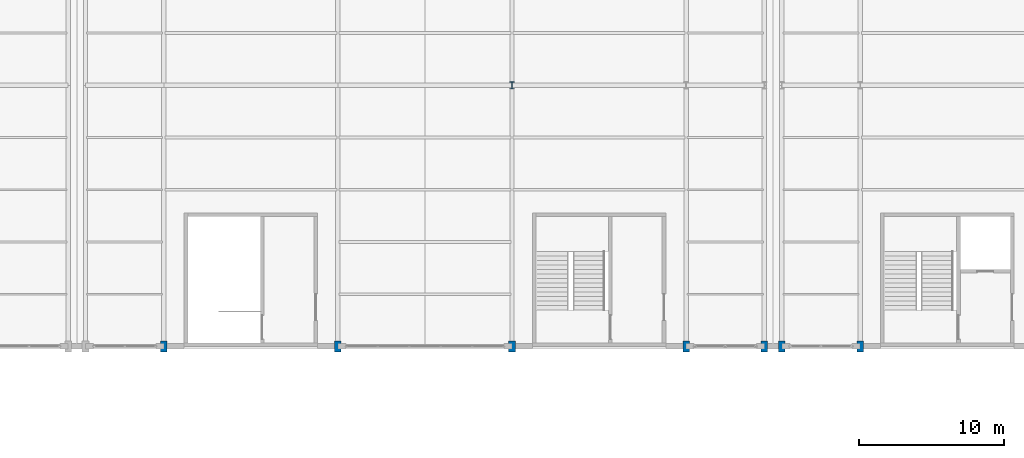
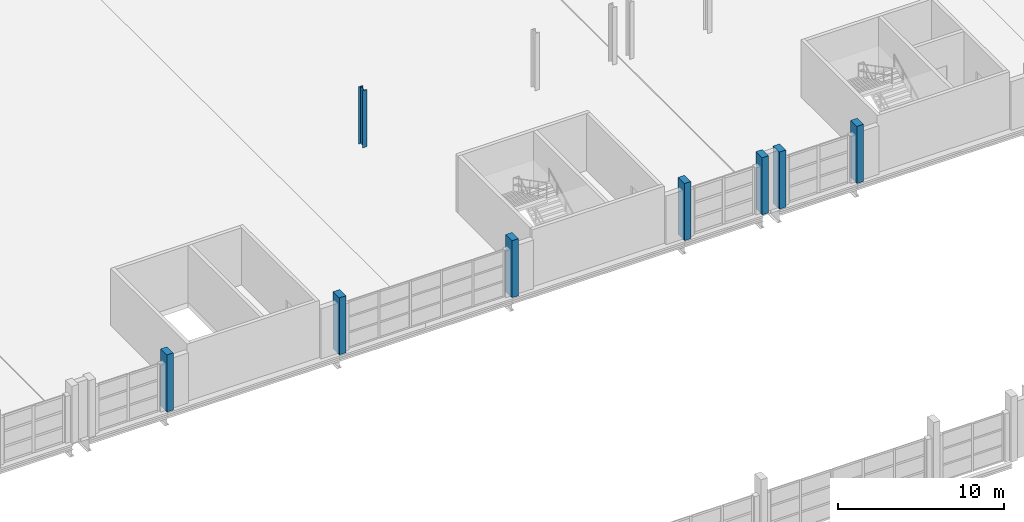
# One storey, part 17 of 147: 8 columns.
"""IFC4 building model written with IfcOpenShell, lengths in metres."""

from ifc_helpers import new_model, si_unit, direction, frame, origin, origin_2d, place, context, subcontext, project, spatial, rectangle, i_section, extrude, material, material_profile, profile_set, type_object, element, save


model = new_model("IFC4")

# Units and contexts
model_context = context("Model", 3, precision=1e-05, world=origin(), true_north=direction((0.0, 1.0)))
body_context = subcontext(model_context, "Body", "Model", "MODEL_VIEW")
ifc_project = project(units=[si_unit("LENGTHUNIT", "METRE"), si_unit("AREAUNIT", "SQUARE_METRE"), si_unit("VOLUMEUNIT", "CUBIC_METRE"), si_unit("PLANEANGLEUNIT", "RADIAN"), si_unit("MASSUNIT", "GRAM", prefix="KILO")], contexts=[model_context])

# Site, building, storey
site_placement = place(None, origin())
site = spatial("IfcSite", under=ifc_project, at=site_placement, CompositionType="ELEMENT")
building_placement = place(site_placement, origin())
building = spatial("IfcBuilding", under=site, at=building_placement, Name="Zilviju Railside Exhibition Hall", CompositionType="ELEMENT")
storey_placement = place(building_placement, frame((0.0, 0.0, 8.39990234375)))
storey = spatial("IfcBuildingStorey", under=building, at=storey_placement, Name="L03", CompositionType="ELEMENT", Elevation=8.39990234375)

# Columns
ifc_material_1 = material(Name="Steel S355J2", Category="steel")
ifc_material_profile_1 = material_profile(ifc_material_1, i_section(OverallWidth=0.300048828125, OverallDepth=0.5, WebThickness=0.014404296875, FlangeThickness=0.028076171875, at=origin_2d()), Name="HEB 500")
ifc_profile_set_1 = profile_set([ifc_material_profile_1], Name="Steel S355J2")
column_type_1 = type_object("IfcColumnType", Name="COL-ST-HEB500", PredefinedType="COLUMN", material=ifc_profile_set_1)
column_placement = place(storey_placement, frame((156.0, 102.0, 0.0), z_axis=(0.0, 0.0, 1.0), x_axis=(1.0, 0.0, 0.0)))
element("IfcColumn", 1, at=column_placement, inside=storey, type_object=column_type_1, Name="Structural Column L03 (156.0, 102.0)", PredefinedType="COLUMN", context=body_context, shape_type="SweptSolid", body=[
    extrude(i_section(OverallWidth=0.300048828125, OverallDepth=0.5, WebThickness=0.014404296875, FlangeThickness=0.028076171875, at=origin_2d()), origin(), (0.0, 0.0, 1.0), 4.2001953125),
])
ifc_material_2 = material(Name="Concrete C40/50", Category="concrete")
ifc_material_profile_2 = material_profile(ifc_material_2, rectangle(XDim=0.449951171875, YDim=0.75, at=origin_2d()), Name="RC COL 450x750")
ifc_profile_set_2 = profile_set([ifc_material_profile_2], Name="Concrete C40/50")
column_type_2 = type_object("IfcColumnType", Name="PIL-RC-750x450", PredefinedType="PILASTER", material=ifc_profile_set_2)
for number, where, z_axis, x_axis, name in (
    (2, (132.0, 84.0, 0.0), (0.0, 0.0, 1.0), (1.0, 0.0, 0.0), "Structural Column L03 (132.0, 84.0)"),
    (3, (144.0, 84.0, 0.0), (0.0, 0.0, 1.0), (1.0, 0.0, 0.0), "Structural Column L03 (144.0, 84.0)"),
    (4, (156.0, 84.0, 0.0), (0.0, 0.0, 1.0), (1.0, 0.0, 0.0), "Structural Column L03 (156.0, 84.0)"),
    (5, (168.0, 84.0, 0.0), (0.0, 0.0, 1.0), (1.0, 0.0, 0.0), "Structural Column L03 (168.0, 84.0)"),
    (6, (173.39990234375, 84.0, 0.0), (0.0, 0.0, 1.0), (1.0, 0.0, 0.0), "Structural Column L03 (173.4, 84.0)"),
    (7, (174.60009765625, 84.0, 0.0), (0.0, 0.0, 1.0), (1.0, 0.0, 0.0), "Structural Column L03 (174.6, 84.0)"),
    (8, (180.0, 84.0, 0.0), (0.0, 0.0, 1.0), (1.0, 0.0, 0.0), "Structural Column L03 (180.0, 84.0)"),
):
    element("IfcColumn", number, at=place(storey_placement, frame(where, z_axis=z_axis, x_axis=x_axis)), inside=storey, type_object=column_type_2, Name=name, PredefinedType="PILASTER", context=body_context, shape_type="SweptSolid", body=[
        extrude(rectangle(XDim=0.449951171875, YDim=0.75, at=origin_2d()), origin(), (0.0, 0.0, 1.0), 4.2001953125),
    ])

save(model, "model.ifc")
